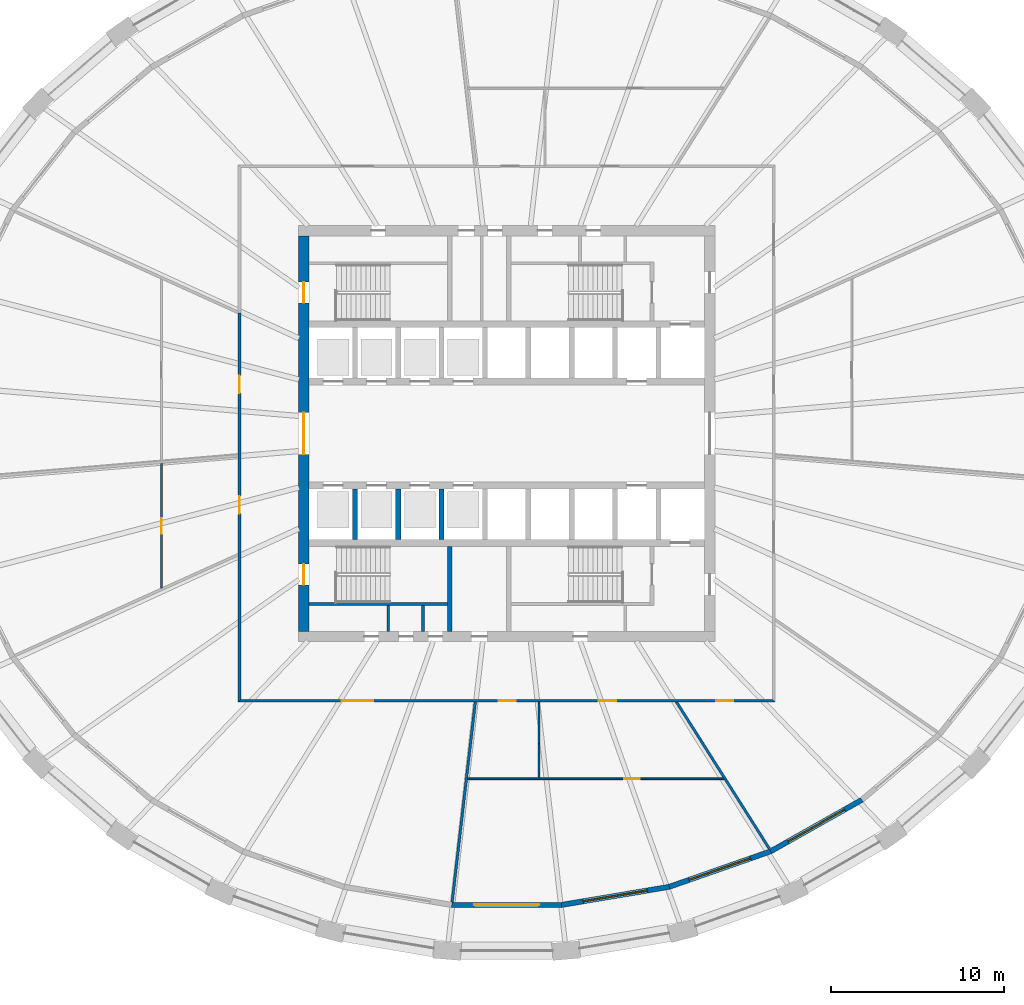
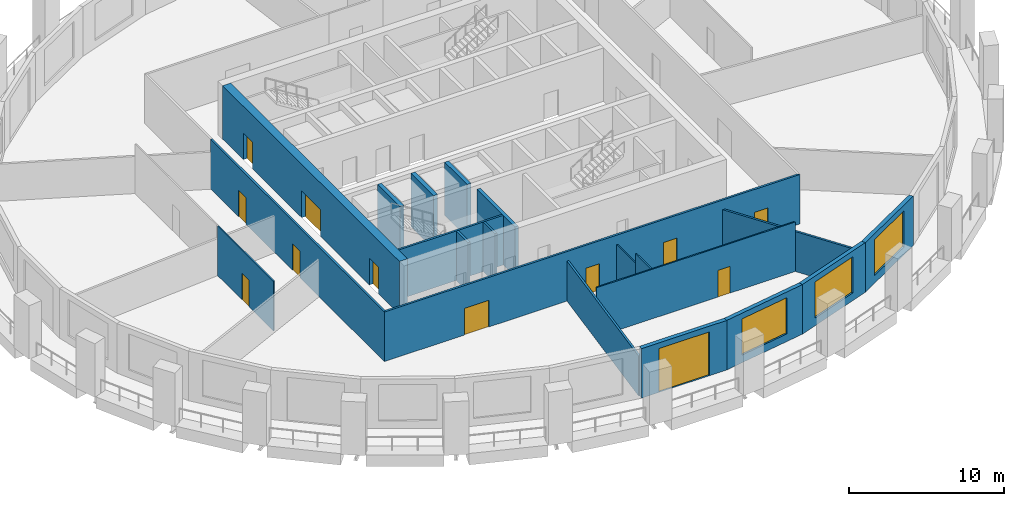
# One storey, part 3 of 10: 20 walls, 12 doors, 3 windows, 15 openings.
"""IFC4 building model written with IfcOpenShell, lengths in metres."""

from ifc_helpers import new_model, si_unit, direction, frame, frame_2d, origin, place, context, subcontext, project, spatial, polyline, rectangle, outline, extrude, material, layer, layer_set, type_object, element, fill, save


model = new_model("IFC4")

# Units and contexts
model_context = context("Model", 3, precision=1e-05, world=origin(), true_north=direction((0.0, 1.0)))
body_context = subcontext(model_context, "Body", "Model", "MODEL_VIEW")
ifc_project = project(units=[si_unit("LENGTHUNIT", "METRE"), si_unit("AREAUNIT", "SQUARE_METRE"), si_unit("VOLUMEUNIT", "CUBIC_METRE"), si_unit("PLANEANGLEUNIT", "RADIAN"), si_unit("MASSUNIT", "GRAM", prefix="KILO")], contexts=[model_context])

# Site, building, storey
site_placement = place(None, origin())
site = spatial("IfcSite", under=ifc_project, at=site_placement, CompositionType="ELEMENT")
building_placement = place(site_placement, origin())
building = spatial("IfcBuilding", under=site, at=building_placement, Name="Halqa Exchange Tower", CompositionType="ELEMENT")
storey_placement = place(building_placement, frame((0.0, 0.0, 117.10009765625)))
storey = spatial("IfcBuildingStorey", under=building, at=storey_placement, Name="L26", CompositionType="ELEMENT", Elevation=117.10009765625)

# Wall, openings, doors
ifc_material_1 = material(Name="Fire-rated gypsum board")
ifc_layer_1 = layer(ifc_material_1, 0.14990234375)
ifc_layer_set_1 = layer_set([ifc_layer_1], Name="Fire-rated gypsum board")
wall_type_1 = type_object("IfcWallType", Name="Fire partition EI 60 150", PredefinedType="PARTITIONING", material=ifc_layer_set_1)
wall_1_placement = place(storey_placement, frame((-15.39990234375, -15.47509765625, 0.0), z_axis=(0.0, 0.0, 1.0), x_axis=(0.0, 1.0, 0.0)))
wall_1 = element("IfcWall", 1, at=wall_1_placement, inside=storey, type_object=wall_type_1, Name="L26-PWL-006", PredefinedType="PARTITIONING", context=body_context, shape_type="SweptSolid", body=[
    extrude(outline(polyline([(22.425048828125, 0.074951171875), (20.556396484375, 0.074951171875), (18.6875, 0.074951171875), (16.81884765625, 0.074951171875), (14.9501953125, 0.074951171875), (13.081298828125, 0.074951171875), (11.212646484375, 0.074951171875), (9.343994140625, 0.074951171875), (7.47509765625, 0.074951171875), (5.6064453125, 0.074951171875), (3.73779296875, 0.074951171875), (1.868896484375, 0.074951171875), (0.000244140625, 0.074951171875), (0.150146484375, -0.074951171875), (2.00634765625, -0.074951171875), (3.862548828125, -0.074951171875), (5.71875, -0.074951171875), (7.5751953125, -0.074951171875), (9.431396484375, -0.074951171875), (11.28759765625, -0.074951171875), (13.143798828125, -0.074951171875), (15.0, -0.074951171875), (16.8564453125, -0.074951171875), (18.712646484375, -0.074951171875), (20.56884765625, -0.074951171875), (22.425048828125, -0.074951171875), (22.425048828125, 0.074951171875)])), origin(), (0.0, 0.0, 1.0), 3.89990234375),
])
opening_1_placement = place(wall_1_placement, frame((17.81005859375, 0.0, 0.0)))
opening_1 = element("IfcOpeningElement", 2, at=opening_1_placement, cuts=wall_1, Name="Opening 08-08", PredefinedType="OPENING", context=body_context, shape_type="SweptSolid", body=[
    extrude(rectangle(XDim=1.0, YDim=2.10009765625, at=frame_2d((0.5, 1.050048828125))), frame((0.0, 0.0869140625, 0.0), z_axis=(0.0, -1.0, 0.0), x_axis=(1.0, 0.0, 0.0)), (0.0, 0.0, 1.0), 0.173828125),
])
opening_2_placement = place(wall_1_placement, frame((10.860107421875, 0.0, 0.0)))
opening_2 = element("IfcOpeningElement", 3, at=opening_2_placement, cuts=wall_1, Name="Opening 08-09", PredefinedType="OPENING", context=body_context, shape_type="SweptSolid", body=[
    extrude(rectangle(XDim=1.0, YDim=2.10009765625, at=frame_2d((0.5, 1.050048828125))), frame((0.0, 0.0869140625, 0.0), z_axis=(0.0, -1.0, 0.0), x_axis=(1.0, 0.0, 0.0)), (0.0, 0.0, 1.0), 0.173828125),
])
ifc_material_2 = material(Name="Steel fire door leaf", Category="steel")
door_type_1 = type_object("IfcDoorType", Name="Fire door FD30S 1000 x 2100", OperationType="SINGLE_SWING_LEFT", PredefinedType="DOOR", material=ifc_material_2)
door_1_placement = place(opening_1_placement, origin())
door_1 = element("IfcDoor", 4, at=door_1_placement, inside=storey, type_object=door_type_1, Name="L26-IDR-008", OperationType="SINGLE_SWING_LEFT", OverallHeight=2.10009765625, OverallWidth=1.0, PredefinedType="DOOR", context=body_context, shape_type="SweptSolid", body=[
    extrude(rectangle(XDim=1.0, YDim=2.10009765625, at=frame_2d((0.5, 1.050048828125))), frame((0.0, 0.02490234375, 0.0), z_axis=(0.0, -1.0, 0.0), x_axis=(1.0, 0.0, 0.0)), (0.0, 0.0, 1.0), 0.050048828125),
])
fill(opening_1, door_1)
door_2_placement = place(opening_2_placement, origin())
door_2 = element("IfcDoor", 5, at=door_2_placement, inside=storey, type_object=door_type_1, Name="L26-IDR-009", OperationType="SINGLE_SWING_LEFT", OverallHeight=2.10009765625, OverallWidth=1.0, PredefinedType="DOOR", context=body_context, shape_type="SweptSolid", body=[
    extrude(rectangle(XDim=1.0, YDim=2.10009765625, at=frame_2d((0.5, 1.050048828125))), frame((0.0, 0.02490234375, 0.0), z_axis=(0.0, -1.0, 0.0), x_axis=(1.0, 0.0, 0.0)), (0.0, 0.0, 1.0), 0.050048828125),
])
fill(opening_2, door_2)

wall_2_placement = place(storey_placement, frame((-15.47509765625, -15.39990234375, 0.0), z_axis=(0.0, 0.0, 1.0), x_axis=(1.0, 0.0, 0.0)))
wall_2 = element("IfcWall", 6, at=wall_2_placement, inside=storey, type_object=wall_type_1, Name="L26-PWL-007", PredefinedType="PARTITIONING", context=body_context, shape_type="SweptSolid", body=[
    extrude(outline(polyline([(0.000244140625, -0.074951171875), (1.9345703125, -0.074951171875), (3.868896484375, -0.074951171875), (5.80322265625, -0.074951171875), (7.73779296875, -0.074951171875), (9.672119140625, -0.074951171875), (11.6064453125, -0.074951171875), (13.540771484375, -0.074951171875), (15.47509765625, -0.074951171875), (17.409423828125, -0.074951171875), (19.34375, -0.074951171875), (21.278076171875, -0.074951171875), (23.21240234375, -0.074951171875), (25.14697265625, -0.074951171875), (27.081298828125, -0.074951171875), (29.015625, -0.074951171875), (30.949951171875, -0.074951171875), (30.800048828125, 0.074951171875), (28.884521484375, 0.074951171875), (26.96875, 0.074951171875), (25.05322265625, 0.074951171875), (23.1376953125, 0.074951171875), (21.221923828125, 0.074951171875), (19.306396484375, 0.074951171875), (17.390625, 0.074951171875), (15.47509765625, 0.074951171875), (13.5595703125, 0.074951171875), (11.643798828125, 0.074951171875), (9.728271484375, 0.074951171875), (7.8125, 0.074951171875), (5.89697265625, 0.074951171875), (3.9814453125, 0.074951171875), (2.065673828125, 0.074951171875), (0.150146484375, 0.074951171875), (0.000244140625, -0.074951171875)])), origin(), (0.0, 0.0, 1.0), 3.89990234375),
])
opening_3_placement = place(wall_2_placement, frame((27.544921875, 0.0, 0.0)))
opening_3 = element("IfcOpeningElement", 7, at=opening_3_placement, cuts=wall_2, Name="Opening 08-01", PredefinedType="OPENING", context=body_context, shape_type="SweptSolid", body=[
    extrude(rectangle(XDim=1.0, YDim=2.10009765625, at=frame_2d((0.5, 1.050048828125))), frame((0.0, 0.0869140625, 0.0), z_axis=(0.0, -1.0, 0.0), x_axis=(1.0, 0.0, 0.0)), (0.0, 0.0, 1.0), 0.173828125),
])
opening_4_placement = place(wall_2_placement, frame((5.97509765625, 0.0, 0.0)))
opening_4 = element("IfcOpeningElement", 8, at=opening_4_placement, cuts=wall_2, Name="Opening 08-10", PredefinedType="OPENING", context=body_context, shape_type="SweptSolid", body=[
    extrude(rectangle(XDim=1.800048828125, YDim=2.10009765625, at=frame_2d((0.89990234375, 1.050048828125))), frame((0.0, 0.0869140625, 0.0), z_axis=(0.0, -1.0, 0.0), x_axis=(1.0, 0.0, 0.0)), (0.0, 0.0, 1.0), 0.173828125),
])
opening_5_placement = place(wall_2_placement, frame((20.780029296875, 0.0, 0.0)))
opening_5 = element("IfcOpeningElement", 9, at=opening_5_placement, cuts=wall_2, Name="Opening 08-11", PredefinedType="OPENING", context=body_context, shape_type="SweptSolid", body=[
    extrude(rectangle(XDim=1.0, YDim=2.10009765625, at=frame_2d((0.5, 1.050048828125))), frame((0.0, 0.0869140625, 0.0), z_axis=(0.0, -1.0, 0.0), x_axis=(1.0, 0.0, 0.0)), (0.0, 0.0, 1.0), 0.173828125),
])
opening_6_placement = place(wall_2_placement, frame((15.010009765625, 0.0, 0.0)))
opening_6 = element("IfcOpeningElement", 10, at=opening_6_placement, cuts=wall_2, Name="Opening 08-12", PredefinedType="OPENING", context=body_context, shape_type="SweptSolid", body=[
    extrude(rectangle(XDim=1.0, YDim=2.10009765625, at=frame_2d((0.5, 1.050048828125))), frame((0.0, 0.0869140625, 0.0), z_axis=(0.0, -1.0, 0.0), x_axis=(1.0, 0.0, 0.0)), (0.0, 0.0, 1.0), 0.173828125),
])
door_3_placement = place(opening_3_placement, frame((1.0, 0.0, 0.0), z_axis=(0.0, 0.0, 1.0), x_axis=(-1.0, 0.0, 0.0)))
door_3 = element("IfcDoor", 11, at=door_3_placement, inside=storey, type_object=door_type_1, Name="L26-IDR-001", OperationType="SINGLE_SWING_LEFT", OverallHeight=2.10009765625, OverallWidth=1.0, PredefinedType="DOOR", context=body_context, shape_type="SweptSolid", body=[
    extrude(rectangle(XDim=1.0, YDim=2.10009765625, at=frame_2d((0.5, 1.050048828125))), frame((0.0, 0.02490234375, 0.0), z_axis=(0.0, -1.0, 0.0), x_axis=(1.0, 0.0, 0.0)), (0.0, 0.0, 1.0), 0.050048828125),
])
fill(opening_3, door_3)
door_4_placement = place(opening_5_placement, frame((1.0, 0.0, 0.0), z_axis=(0.0, 0.0, 1.0), x_axis=(-1.0, 0.0, 0.0)))
door_4 = element("IfcDoor", 12, at=door_4_placement, inside=storey, type_object=door_type_1, Name="L26-IDR-011", OperationType="SINGLE_SWING_LEFT", OverallHeight=2.10009765625, OverallWidth=1.0, PredefinedType="DOOR", context=body_context, shape_type="SweptSolid", body=[
    extrude(rectangle(XDim=1.0, YDim=2.10009765625, at=frame_2d((0.5, 1.050048828125))), frame((0.0, 0.02490234375, 0.0), z_axis=(0.0, -1.0, 0.0), x_axis=(1.0, 0.0, 0.0)), (0.0, 0.0, 1.0), 0.050048828125),
])
fill(opening_5, door_4)
door_5_placement = place(opening_6_placement, frame((1.0, 0.0, 0.0), z_axis=(0.0, 0.0, 1.0), x_axis=(-1.0, 0.0, 0.0)))
door_5 = element("IfcDoor", 13, at=door_5_placement, inside=storey, type_object=door_type_1, Name="L26-IDR-012", OperationType="SINGLE_SWING_LEFT", OverallHeight=2.10009765625, OverallWidth=1.0, PredefinedType="DOOR", context=body_context, shape_type="SweptSolid", body=[
    extrude(rectangle(XDim=1.0, YDim=2.10009765625, at=frame_2d((0.5, 1.050048828125))), frame((0.0, 0.02490234375, 0.0), z_axis=(0.0, -1.0, 0.0), x_axis=(1.0, 0.0, 0.0)), (0.0, 0.0, 1.0), 0.050048828125),
])
fill(opening_6, door_5)
door_type_2 = type_object("IfcDoorType", Name="Fire door FD30S double 1800 x 2100", OperationType="DOUBLE_DOOR_SINGLE_SWING", PredefinedType="DOOR", material=ifc_material_2)
door_6_placement = place(opening_4_placement, frame((1.800048828125, 0.0, 0.0), z_axis=(0.0, 0.0, 1.0), x_axis=(-1.0, 0.0, 0.0)))
door_6 = element("IfcDoor", 14, at=door_6_placement, inside=storey, type_object=door_type_2, Name="L26-IDR-010", OperationType="DOUBLE_DOOR_SINGLE_SWING", OverallHeight=2.10009765625, OverallWidth=1.800048828125, PredefinedType="DOOR", context=body_context, shape_type="SweptSolid", body=[
    extrude(rectangle(XDim=1.800048828125, YDim=2.10009765625, at=frame_2d((0.89990234375, 1.050048828125))), frame((0.0, 0.02490234375, 0.0), z_axis=(0.0, -1.0, 0.0), x_axis=(1.0, 0.0, 0.0)), (0.0, 0.0, 1.0), 0.050048828125),
])
fill(opening_4, door_6)

# Walls
wall_3_placement = place(storey_placement, frame((-3.145263671875, -27.02099609375, 0.0), z_axis=(0.0, 0.0, 1.0), x_axis=(0.115127596958, 0.993350711692, 0.0)))
element("IfcWall", 15, at=wall_3_placement, inside=storey, type_object=wall_type_1, Name="L26-PWL-011", PredefinedType="PARTITIONING", context=body_context, shape_type="SweptSolid", body=[
    extrude(outline(polyline([(0.005615234375, -0.074951171875), (1.808349609375, -0.074951171875), (3.611083984375, -0.074951171875), (5.413818359375, -0.074951171875), (7.216552734375, -0.074951171875), (7.2275390625, -0.07373046875), (7.227783203125, -0.074951171875), (8.695556640625, -0.074951171875), (10.16357421875, -0.074951171875), (11.631591796875, -0.074951171875), (11.631591796875, -0.07177734375), (11.614501953125, 0.074951171875), (9.6787109375, 0.074951171875), (7.7431640625, 0.074951171875), (5.807373046875, 0.074951171875), (3.87158203125, 0.074951171875), (1.935791015625, 0.074951171875), (0.0, 0.074951171875), (0.0, -0.02685546875), (0.005615234375, -0.074951171875)])), origin(), (0.0, 0.0, 1.0), 3.14697265625),
])
wall_4_placement = place(storey_placement, frame((9.76220703125, -15.43505859375, 0.0), z_axis=(0.0, 0.0, 1.0), x_axis=(0.534830284385, -0.844959506074, 0.0)))
element("IfcWall", 16, at=wall_4_placement, inside=storey, type_object=wall_type_1, Name="L26-PWL-018", PredefinedType="PARTITIONING", context=body_context, shape_type="SweptSolid", body=[
    extrude(outline(polyline([(0.0, -0.074951171875), (1.725830078125, -0.074951171875), (3.45166015625, -0.074951171875), (5.177490234375, -0.074951171875), (5.211181640625, -0.021728515625), (5.29541015625, -0.074951171875), (6.882568359375, -0.074951171875), (8.4697265625, -0.074951171875), (10.056884765625, -0.074951171875), (10.056884765625, 0.074951171875), (8.064453125, 0.074951171875), (6.072021484375, 0.074951171875), (4.07958984375, 0.074951171875), (2.087158203125, 0.074951171875), (0.0947265625, 0.074951171875), (0.0, -0.07470703125), (0.0, -0.074951171875)])), origin(), (0.0, 0.0, 1.0), 3.14697265625),
])

# Wall, opening, door
ifc_material_3 = material(Name="Gypsum board")
ifc_layer_2 = layer(ifc_material_3, 0.10009765625)
ifc_layer_set_2 = layer_set([ifc_layer_2], Name="Gypsum board")
wall_type_2 = type_object("IfcWallType", Name="Partition 100 gypsum", PredefinedType="PARTITIONING", material=ifc_layer_set_2)
wall_5_placement = place(storey_placement, frame((-19.89990234375, -8.924072265625, 0.0), z_axis=(0.0, 0.0, 1.0), x_axis=(0.0, 1.0, 0.0)))
wall_5 = element("IfcWall", 17, at=wall_5_placement, inside=storey, type_object=wall_type_2, Name="L26-PWL-004", PredefinedType="PARTITIONING", context=body_context, shape_type="SweptSolid", body=[
    extrude(outline(polyline([(7.197021484375, -0.050048828125), (7.197021484375, -0.04638671875), (7.18896484375, 0.050048828125), (5.3916015625, 0.050048828125), (3.594482421875, 0.050048828125), (1.797119140625, 0.050048828125), (0.0, 0.050048828125), (0.0, 0.049560546875), (0.044921875, -0.050048828125), (1.8330078125, -0.050048828125), (3.62109375, -0.050048828125), (5.408935546875, -0.050048828125), (7.197021484375, -0.050048828125)])), origin(), (0.0, 0.0, 1.0), 3.89990234375),
])
opening_7_placement = place(wall_5_placement, frame((3.154052734375, 0.0, 0.0)))
opening_7 = element("IfcOpeningElement", 18, at=opening_7_placement, cuts=wall_5, Name="Opening 08-16", PredefinedType="OPENING", context=body_context, shape_type="SweptSolid", body=[
    extrude(rectangle(XDim=0.89990234375, YDim=2.10009765625, at=frame_2d((0.449951171875, 1.050048828125))), frame((0.0, 0.06201171875, 0.0), z_axis=(0.0, -1.0, 0.0), x_axis=(1.0, 0.0, 0.0)), (0.0, 0.0, 1.0), 0.1240234375),
])
ifc_material_4 = material(Name="Timber door leaf", Category="wood")
door_type_3 = type_object("IfcDoorType", Name="Door 900 x 2100", OperationType="SINGLE_SWING_LEFT", PredefinedType="DOOR", material=ifc_material_4)
door_7_placement = place(opening_7_placement, frame((0.89990234375, 0.0, 0.0), z_axis=(0.0, 0.0, 1.0), x_axis=(-1.0, 0.0, 0.0)))
door_7 = element("IfcDoor", 19, at=door_7_placement, inside=storey, type_object=door_type_3, Name="L26-IDR-016", OperationType="SINGLE_SWING_RIGHT", OverallHeight=2.10009765625, OverallWidth=0.89990234375, PredefinedType="DOOR", context=body_context, shape_type="SweptSolid", body=[
    extrude(rectangle(XDim=0.89990234375, YDim=2.10009765625, at=frame_2d((0.449951171875, 1.050048828125))), frame((0.0, 0.02490234375, 0.0), z_axis=(0.0, -1.0, 0.0), x_axis=(1.0, 0.0, 0.0)), (0.0, 0.0, 1.0), 0.050048828125),
])
fill(opening_7, door_7)

wall_6_placement = place(storey_placement, frame((-2.25, -19.89990234375, 0.0), z_axis=(0.0, 0.0, 1.0), x_axis=(1.0, 0.0, 0.0)))
wall_6 = element("IfcWall", 20, at=wall_6_placement, inside=storey, type_object=wall_type_2, Name="L26-PWL-012", PredefinedType="PARTITIONING", context=body_context, shape_type="SweptSolid", body=[
    extrude(outline(polyline([(14.781005859375, -0.050048828125), (14.781005859375, -0.0498046875), (14.77001953125, -0.0322265625), (14.77001953125, -0.032470703125), (14.7177734375, 0.050048828125), (12.9599609375, 0.050048828125), (11.201904296875, 0.050048828125), (9.44384765625, 0.050048828125), (7.68603515625, 0.050048828125), (5.927978515625, 0.050048828125), (4.169921875, 0.050048828125), (4.169921875, 0.0498046875), (4.070068359375, 0.0498046875), (4.070068359375, 0.050048828125), (2.717041015625, 0.050048828125), (1.3642578125, 0.050048828125), (0.01123046875, 0.050048828125), (0.0, -0.0478515625), (0.0, -0.050048828125), (1.84765625, -0.050048828125), (3.6953125, -0.050048828125), (5.54296875, -0.050048828125), (7.390625, -0.050048828125), (9.238037109375, -0.050048828125), (11.085693359375, -0.050048828125), (12.933349609375, -0.050048828125), (14.781005859375, -0.050048828125)])), origin(), (0.0, 0.0, 1.0), 3.89990234375),
])
opening_8_placement = place(wall_6_placement, frame((9.030029296875, 0.0, 0.0)))
opening_8 = element("IfcOpeningElement", 21, at=opening_8_placement, cuts=wall_6, Name="Opening 08-17", PredefinedType="OPENING", context=body_context, shape_type="SweptSolid", body=[
    extrude(rectangle(XDim=0.89990234375, YDim=2.10009765625, at=frame_2d((0.449951171875, 1.050048828125))), frame((0.0, 0.06201171875, 0.0), z_axis=(0.0, -1.0, 0.0), x_axis=(1.0, 0.0, 0.0)), (0.0, 0.0, 1.0), 0.1240234375),
])
door_8_placement = place(opening_8_placement, origin())
door_8 = element("IfcDoor", 22, at=door_8_placement, inside=storey, type_object=door_type_3, Name="L26-IDR-017", OperationType="SINGLE_SWING_LEFT", OverallHeight=2.10009765625, OverallWidth=0.89990234375, PredefinedType="DOOR", context=body_context, shape_type="SweptSolid", body=[
    extrude(rectangle(XDim=0.89990234375, YDim=2.10009765625, at=frame_2d((0.449951171875, 1.050048828125))), frame((0.0, 0.02490234375, 0.0), z_axis=(0.0, -1.0, 0.0), x_axis=(1.0, 0.0, 0.0)), (0.0, 0.0, 1.0), 0.050048828125),
])
fill(opening_8, door_8)

# Walls
wall_7_placement = place(storey_placement, frame((1.8701171875, -19.85009765625, 0.0), z_axis=(0.0, 0.0, 1.0), x_axis=(0.0, 1.0, 0.0)))
element("IfcWall", 23, at=wall_7_placement, inside=storey, type_object=wall_type_2, Name="L26-PWL-015", PredefinedType="PARTITIONING", context=body_context, shape_type="SweptSolid", body=[
    extrude(rectangle(XDim=1.959716796875, YDim=0.10009765625, at=frame_2d((0.97998046875, 0.0))), origin(), (0.0, 0.0, 1.0), 3.89990234375),
])
wall_8_placement = place(storey_placement, frame((1.8701171875, -17.890380859375, 0.0), z_axis=(0.0, 0.0, 1.0), x_axis=(0.0, 1.0, 0.0)))
element("IfcWall", 24, at=wall_8_placement, inside=storey, type_object=wall_type_2, Name="L26-PWL-025", PredefinedType="PARTITIONING", context=body_context, shape_type="SweptSolid", body=[
    extrude(rectangle(XDim=2.415283203125, YDim=0.10009765625, at=frame_2d((1.20751953125, 0.0))), origin(), (0.0, 0.0, 1.0), 3.14697265625),
])
ifc_layer_3 = layer(ifc_material_3, 0.14990234375)
ifc_layer_set_3 = layer_set([ifc_layer_3], Name="Gypsum board")
wall_type_3 = type_object("IfcWallType", Name="Penthouse riser wall 150 gypsum", PredefinedType="PARTITIONING", material=ifc_layer_set_3)
for number, where, z_axis, x_axis, name in (
    (25, (-6.824951171875, -11.39990234375, 0.0), (0.0, 0.0, 1.0), (0.0, 1.0, 0.0), "Partition W6.825 S"),
    (26, (-4.824951171875, -11.39990234375, 0.0), (0.0, 0.0, 1.0), (0.0, 1.0, 0.0), "Partition W4.825 S"),
):
    element("IfcWall", number, at=place(storey_placement, frame(where, z_axis=z_axis, x_axis=x_axis)), inside=storey, type_object=wall_type_3, Name=name, PredefinedType="PARTITIONING", context=body_context, shape_type="SweptSolid", body=[
        extrude(rectangle(XDim=1.5, YDim=0.14990234375, at=frame_2d((0.75, 0.0))), origin(), (0.0, 0.0, 1.0), 3.89990234375),
    ])
ifc_material_5 = material(Name="Concrete C60/75", Category="concrete")
ifc_layer_4 = layer(ifc_material_5, 0.300048828125)
ifc_layer_set_4 = layer_set([ifc_layer_4], Name="Concrete C60/75")
wall_type_4 = type_object("IfcWallType", Name="RC core wall 300", PredefinedType="SHEAR", material=ifc_layer_set_4)
for number, where, z_axis, x_axis, name in (
    (27, (-8.75, -6.10009765625, 0.0), (0.0, 0.0, 1.0), (0.0, 1.0, 0.0), "Shaft divider S1"),
    (28, (-6.25, -6.10009765625, 0.0), (0.0, 0.0, 1.0), (0.0, 1.0, 0.0), "Shaft divider S2"),
    (29, (-3.75, -6.10009765625, 0.0), (0.0, 0.0, 1.0), (0.0, 1.0, 0.0), "Shaft divider S3"),
):
    element("IfcWall", number, at=place(storey_placement, frame(where, z_axis=z_axis, x_axis=x_axis)), inside=storey, type_object=wall_type_4, Name=name, PredefinedType="SHEAR", context=body_context, shape_type="SweptSolid", body=[
        extrude(rectangle(XDim=2.900146484375, YDim=0.300048828125, at=frame_2d((1.4501953125, 0.0))), origin(), (0.0, 0.0, 1.0), 4.199951171875),
    ])

# Wall, openings, doors
ifc_material_6 = material(Name="Concrete C70/85", Category="concrete")
ifc_layer_5 = layer(ifc_material_6, 0.60009765625)
ifc_layer_set_5 = layer_set([ifc_layer_5], Name="Concrete C70/85")
wall_type_5 = type_object("IfcWallType", Name="RC core wall 600 C70/85", PredefinedType="SHEAR", material=ifc_layer_set_5)
wall_9_placement = place(storey_placement, frame((-11.699951171875, -11.39990234375, 0.0), z_axis=(0.0, 0.0, 1.0), x_axis=(0.0, 1.0, 0.0)))
wall_9 = element("IfcWall", 30, at=wall_9_placement, inside=storey, type_object=wall_type_5, Name="Core wall west", PredefinedType="SHEAR", context=body_context, shape_type="SweptSolid", body=[
    extrude(rectangle(XDim=22.7998046875, YDim=0.60009765625, at=frame_2d((11.39990234375, 0.0))), origin(), (0.0, 0.0, 1.0), 4.199951171875),
])
opening_9_placement = place(wall_9_placement, frame((10.199951171875, 0.0, 0.0)))
opening_9 = element("IfcOpeningElement", 31, at=opening_9_placement, cuts=wall_9, Name="Opening T08-C13", PredefinedType="OPENING", context=body_context, shape_type="SweptSolid", body=[
    extrude(rectangle(XDim=2.39990234375, YDim=2.10009765625, at=frame_2d((1.199951171875, 1.050048828125))), frame((0.0, 0.31201171875, 0.0), z_axis=(0.0, -1.0, 0.0), x_axis=(1.0, 0.0, 0.0)), (0.0, 0.0, 1.0), 0.6240234375),
])
opening_10_placement = place(wall_9_placement, frame((18.925048828125, 0.0, 0.0)))
opening_10 = element("IfcOpeningElement", 32, at=opening_10_placement, cuts=wall_9, Name="Opening T08-C15", PredefinedType="OPENING", context=body_context, shape_type="SweptSolid", body=[
    extrude(rectangle(XDim=1.199951171875, YDim=2.10009765625, at=frame_2d((0.60009765625, 1.050048828125))), frame((0.0, 0.31201171875, 0.0), z_axis=(0.0, -1.0, 0.0), x_axis=(1.0, 0.0, 0.0)), (0.0, 0.0, 1.0), 0.6240234375),
])
opening_11_placement = place(wall_9_placement, frame((2.675048828125, 0.0, 0.0)))
opening_11 = element("IfcOpeningElement", 33, at=opening_11_placement, cuts=wall_9, Name="Opening T08-C17", PredefinedType="OPENING", context=body_context, shape_type="SweptSolid", body=[
    extrude(rectangle(XDim=1.199951171875, YDim=2.10009765625, at=frame_2d((0.60009765625, 1.050048828125))), frame((0.0, 0.31201171875, 0.0), z_axis=(0.0, -1.0, 0.0), x_axis=(1.0, 0.0, 0.0)), (0.0, 0.0, 1.0), 0.6240234375),
])
door_type_4 = type_object("IfcDoorType", Name="Lobby double door FD60 2400 x 2100", OperationType="DOUBLE_DOOR_SINGLE_SWING", PredefinedType="DOOR", material=ifc_material_2)
door_9_placement = place(opening_9_placement, frame((2.39990234375, 0.0, 0.0), z_axis=(0.0, 0.0, 1.0), x_axis=(-1.0, 0.0, 0.0)))
door_9 = element("IfcDoor", 34, at=door_9_placement, inside=storey, type_object=door_type_4, Name="Lift lobby double door", OperationType="DOUBLE_DOOR_SINGLE_SWING", OverallHeight=2.10009765625, OverallWidth=2.39990234375, PredefinedType="DOOR", context=body_context, shape_type="SweptSolid", body=[
    extrude(rectangle(XDim=2.39990234375, YDim=2.10009765625, at=frame_2d((1.199951171875, 1.050048828125))), frame((0.0, 0.02490234375, 0.0), z_axis=(0.0, -1.0, 0.0), x_axis=(1.0, 0.0, 0.0)), (0.0, 0.0, 1.0), 0.050048828125),
])
fill(opening_9, door_9)
door_type_5 = type_object("IfcDoorType", Name="Stair door FD90 1200 x 2100", OperationType="SINGLE_SWING_LEFT", PredefinedType="DOOR", material=ifc_material_2)
door_10_placement = place(opening_10_placement, frame((1.199951171875, 0.0, 0.0), z_axis=(0.0, 0.0, 1.0), x_axis=(-1.0, 0.0, 0.0)))
door_10 = element("IfcDoor", 35, at=door_10_placement, inside=storey, type_object=door_type_5, Name="Stair door ST1", OperationType="SINGLE_SWING_RIGHT", OverallHeight=2.10009765625, OverallWidth=1.199951171875, PredefinedType="DOOR", context=body_context, shape_type="SweptSolid", body=[
    extrude(rectangle(XDim=1.199951171875, YDim=2.10009765625, at=frame_2d((0.60009765625, 1.050048828125))), frame((0.0, 0.02490234375, 0.0), z_axis=(0.0, -1.0, 0.0), x_axis=(1.0, 0.0, 0.0)), (0.0, 0.0, 1.0), 0.050048828125),
])
fill(opening_10, door_10)
door_11_placement = place(opening_11_placement, frame((1.199951171875, 0.0, 0.0), z_axis=(0.0, 0.0, 1.0), x_axis=(-1.0, 0.0, 0.0)))
door_11 = element("IfcDoor", 36, at=door_11_placement, inside=storey, type_object=door_type_5, Name="Stair door ST3", OperationType="SINGLE_SWING_RIGHT", OverallHeight=2.10009765625, OverallWidth=1.199951171875, PredefinedType="DOOR", context=body_context, shape_type="SweptSolid", body=[
    extrude(rectangle(XDim=1.199951171875, YDim=2.10009765625, at=frame_2d((0.60009765625, 1.050048828125))), frame((0.0, 0.02490234375, 0.0), z_axis=(0.0, -1.0, 0.0), x_axis=(1.0, 0.0, 0.0)), (0.0, 0.0, 1.0), 0.050048828125),
])
fill(opening_11, door_11)

# Walls
ifc_material_7 = material(Name="Concrete C30/37", Category="concrete")
ifc_layer_6 = layer(ifc_material_7, 0.14990234375)
ifc_layer_set_6 = layer_set([ifc_layer_6], Name="Concrete C30/37")
wall_type_6 = type_object("IfcWallType", Name="RC stair wall 150 C30/37", PredefinedType="SHEAR", material=ifc_layer_set_6)
wall_10_placement = place(storey_placement, frame((-11.39990234375, -9.824951171875, 0.0), z_axis=(0.0, 0.0, 1.0), x_axis=(1.0, 0.0, 0.0)))
element("IfcWall", 37, at=wall_10_placement, inside=storey, type_object=wall_type_6, Name="Stair ST1 north wall S", PredefinedType="SHEAR", context=body_context, shape_type="SweptSolid", body=[
    extrude(rectangle(XDim=8.0, YDim=0.14990234375, at=frame_2d((4.0, 0.0))), origin(), (0.0, 0.0, 1.0), 3.89990234375),
])
ifc_layer_7 = layer(ifc_material_7, 0.25)
ifc_layer_set_7 = layer_set([ifc_layer_7], Name="Concrete C30/37")
wall_type_7 = type_object("IfcWallType", Name="RC stair wall 250 C30/37", PredefinedType="SHEAR", material=ifc_layer_set_7)
wall_11_placement = place(storey_placement, frame((-3.27490234375, -11.39990234375, 0.0), z_axis=(0.0, 0.0, 1.0), x_axis=(0.0, 1.0, 0.0)))
element("IfcWall", 38, at=wall_11_placement, inside=storey, type_object=wall_type_7, Name="Stair ST1 east wall S", PredefinedType="SHEAR", context=body_context, shape_type="SweptSolid", body=[
    extrude(rectangle(XDim=4.89990234375, YDim=0.25, at=frame_2d((2.449951171875, 0.0))), origin(), (0.0, 0.0, 1.0), 3.89990234375),
])

# Wall, opening, door
ifc_material_8 = material(Name="Limestone cladding", Category="masonry")
ifc_layer_8 = layer(ifc_material_8, 0.0400390625)
ifc_material_9 = material(Name="Ventilated cavity")
ifc_layer_9 = layer(ifc_material_9, 0.030029296875, ventilated=True)
ifc_material_10 = material(Name="Mineral wool insulation")
ifc_layer_10 = layer(ifc_material_10, 0.10009765625)
ifc_layer_11 = layer(ifc_material_7, 0.10009765625)
ifc_material_11 = material(Name="Internal plaster")
ifc_layer_12 = layer(ifc_material_11, 0.030029296875)
ifc_layer_set_8 = layer_set([ifc_layer_8, ifc_layer_9, ifc_layer_10, ifc_layer_11, ifc_layer_12], Name="Stone-faced insulated wall 300")
wall_type_8 = type_object("IfcWallType", Name="Stone-faced insulated wall 300", PredefinedType="STANDARD", material=ifc_layer_set_8)
wall_12_placement = place(storey_placement, frame((-3.16357421875, -27.174072265625, 0.0), z_axis=(0.0, 0.0, 1.0), x_axis=(1.0, 0.0, 0.0)))
wall_12 = element("IfcWall", 39, at=wall_12_placement, inside=storey, type_object=wall_type_8, Name="Glass-line wall 24", PredefinedType="STANDARD", context=body_context, shape_type="SweptSolid", body=[
    extrude(outline(polyline([(-0.012451171875, -0.14990234375), (6.339599609375, -0.14990234375), (6.314697265625, 0.14990234375), (0.012451171875, 0.14990234375), (-0.012451171875, -0.14990234375)])), origin(), (0.0, 0.0, 1.0), 3.89990234375),
])
opening_12_placement = place(wall_12_placement, frame((1.28857421875, 0.0, 0.0)))
opening_12 = element("IfcOpeningElement", 40, at=opening_12_placement, cuts=wall_12, Name="Opening LG-F2-06", PredefinedType="OPENING", context=body_context, shape_type="SweptSolid", body=[
    extrude(rectangle(XDim=3.75, YDim=3.449951171875, at=frame_2d((1.875, 1.72509765625))), frame((0.0, 0.162109375, 0.0), z_axis=(0.0, -1.0, 0.0), x_axis=(1.0, 0.0, 0.0)), (0.0, 0.0, 1.0), 0.323974609375),
])
ifc_material_12 = material(Name="Clear low-emissivity glass in aluminium frame", Category="aluminium")
door_type_6 = type_object("IfcDoorType", Name="Glazed sliding loggia door 3750 x 3450", OperationType="DOUBLE_DOOR_SLIDING", PredefinedType="DOOR", material=ifc_material_12)
door_12_placement = place(opening_12_placement, origin())
door_12 = element("IfcDoor", 41, at=door_12_placement, inside=storey, type_object=door_type_6, Name="Loggia door 6", OperationType="DOUBLE_DOOR_SLIDING", OverallHeight=3.449951171875, OverallWidth=3.75, PredefinedType="DOOR", context=body_context, shape_type="SweptSolid", body=[
    extrude(rectangle(XDim=3.75, YDim=3.449951171875, at=frame_2d((1.875, 1.72509765625))), frame((0.0, 0.02490234375, 0.0), z_axis=(0.0, -1.0, 0.0), x_axis=(1.0, 0.0, 0.0)), (0.0, 0.0, 1.0), 0.050048828125),
])
fill(opening_12, door_12)

# Wall, opening, window
wall_13_placement = place(storey_placement, frame((3.16357421875, -27.174072265625, 0.0), z_axis=(0.0, 0.0, 1.0), x_axis=(0.986176011722, 0.165701158427, 0.0)))
wall_13 = element("IfcWall", 42, at=wall_13_placement, inside=storey, type_object=wall_type_8, Name="Glass-line wall 25", PredefinedType="STANDARD", context=body_context, shape_type="SweptSolid", body=[
    extrude(outline(polyline([(-0.012451171875, -0.14990234375), (6.305419921875, -0.14990234375), (6.280029296875, 0.14990234375), (0.012451171875, 0.14990234375), (-0.012451171875, -0.14990234375)])), origin(), (0.0, 0.0, 1.0), 3.89990234375),
])
opening_13_placement = place(wall_13_placement, frame((1.271484375, 0.0, 0.60009765625)))
opening_13 = element("IfcOpeningElement", 43, at=opening_13_placement, cuts=wall_13, Name="Opening W-F2-25", PredefinedType="OPENING", context=body_context, shape_type="SweptSolid", body=[
    extrude(rectangle(XDim=3.75, YDim=2.85009765625, at=frame_2d((1.875, 1.425048828125))), frame((0.0, 0.162109375, 0.0), z_axis=(0.0, -1.0, 0.0), x_axis=(1.0, 0.0, 0.0)), (0.0, 0.0, 1.0), 0.323974609375),
])
window_type = type_object("IfcWindowType", Name="Fixed clear glazed window 3750 x 2850", PartitioningType="TRIPLE_PANEL_VERTICAL", PredefinedType="WINDOW", material=ifc_material_12)
window_1_placement = place(opening_13_placement, origin())
window_1 = element("IfcWindow", 44, at=window_1_placement, inside=storey, type_object=window_type, Name="Window 2", OverallHeight=2.85009765625, OverallWidth=3.75, PartitioningType="TRIPLE_PANEL_VERTICAL", PredefinedType="WINDOW", context=body_context, shape_type="SweptSolid", body=[
    extrude(rectangle(XDim=3.75, YDim=2.85009765625, at=frame_2d((1.875, 1.425048828125))), frame((0.0, 0.030029296875, 0.0), z_axis=(0.0, -1.0, 0.0), x_axis=(1.0, 0.0, 0.0)), (0.0, 0.0, 1.0), 0.06005859375),
])
fill(opening_13, window_1)

wall_14_placement = place(storey_placement, frame((9.369384765625, -26.13134765625, 0.0), z_axis=(0.0, 0.0, 1.0), x_axis=(0.94389706045, 0.330239820849, 0.0)))
wall_14 = element("IfcWall", 45, at=wall_14_placement, inside=storey, type_object=wall_type_8, Name="Glass-line wall 26", PredefinedType="STANDARD", context=body_context, shape_type="SweptSolid", body=[
    extrude(outline(polyline([(-0.0126953125, -0.14990234375), (6.207763671875, -0.14990234375), (6.180908203125, 0.14990234375), (0.0126953125, 0.14990234375), (-0.0126953125, -0.14990234375)])), origin(), (0.0, 0.0, 1.0), 3.89990234375),
])
opening_14_placement = place(wall_14_placement, frame((1.22216796875, 0.0, 0.60009765625)))
opening_14 = element("IfcOpeningElement", 46, at=opening_14_placement, cuts=wall_14, Name="Opening W-F2-26", PredefinedType="OPENING", context=body_context, shape_type="SweptSolid", body=[
    extrude(rectangle(XDim=3.75, YDim=2.85009765625, at=frame_2d((1.875, 1.425048828125))), frame((0.0, 0.162109375, 0.0), z_axis=(0.0, -1.0, 0.0), x_axis=(1.0, 0.0, 0.0)), (0.0, 0.0, 1.0), 0.323974609375),
])
window_2_placement = place(opening_14_placement, origin())
window_2 = element("IfcWindow", 47, at=window_2_placement, inside=storey, type_object=window_type, Name="Window 2", OverallHeight=2.85009765625, OverallWidth=3.75, PartitioningType="TRIPLE_PANEL_VERTICAL", PredefinedType="WINDOW", context=body_context, shape_type="SweptSolid", body=[
    extrude(rectangle(XDim=3.75, YDim=2.85009765625, at=frame_2d((1.875, 1.425048828125))), frame((0.0, 0.030029296875, 0.0), z_axis=(0.0, -1.0, 0.0), x_axis=(1.0, 0.0, 0.0)), (0.0, 0.0, 1.0), 0.06005859375),
])
fill(opening_14, window_2)

wall_15_placement = place(storey_placement, frame((15.21630859375, -24.085693359375, 0.0), z_axis=(0.0, 0.0, 1.0), x_axis=(0.870858332497, 0.491534093142, 0.0)))
wall_15 = element("IfcWall", 48, at=wall_15_placement, inside=storey, type_object=wall_type_8, Name="Glass-line wall 27", PredefinedType="STANDARD", context=body_context, shape_type="SweptSolid", body=[
    extrude(outline(polyline([(-0.013427734375, -0.14990234375), (6.058349609375, -0.14990234375), (6.030029296875, 0.14990234375), (0.013427734375, 0.14990234375), (-0.013427734375, -0.14990234375)])), origin(), (0.0, 0.0, 1.0), 3.89990234375),
])
opening_15_placement = place(wall_15_placement, frame((1.147216796875, 0.0, 0.60009765625)))
opening_15 = element("IfcOpeningElement", 49, at=opening_15_placement, cuts=wall_15, Name="Opening W-F2-27", PredefinedType="OPENING", context=body_context, shape_type="SweptSolid", body=[
    extrude(rectangle(XDim=3.75, YDim=2.85009765625, at=frame_2d((1.875, 1.425048828125))), frame((0.0, 0.162109375, 0.0), z_axis=(0.0, -1.0, 0.0), x_axis=(1.0, 0.0, 0.0)), (0.0, 0.0, 1.0), 0.323974609375),
])
window_3_placement = place(opening_15_placement, origin())
window_3 = element("IfcWindow", 50, at=window_3_placement, inside=storey, type_object=window_type, Name="Window 2", OverallHeight=2.85009765625, OverallWidth=3.75, PartitioningType="TRIPLE_PANEL_VERTICAL", PredefinedType="WINDOW", context=body_context, shape_type="SweptSolid", body=[
    extrude(rectangle(XDim=3.75, YDim=2.85009765625, at=frame_2d((1.875, 1.425048828125))), frame((0.0, 0.030029296875, 0.0), z_axis=(0.0, -1.0, 0.0), x_axis=(1.0, 0.0, 0.0)), (0.0, 0.0, 1.0), 0.06005859375),
])
fill(opening_15, window_3)

save(model, "model.ifc")
